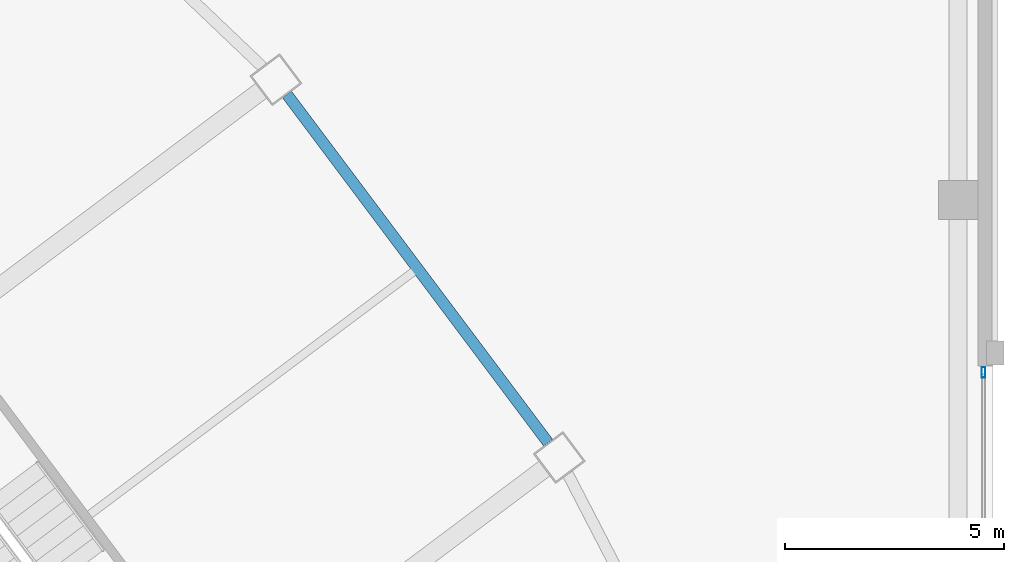
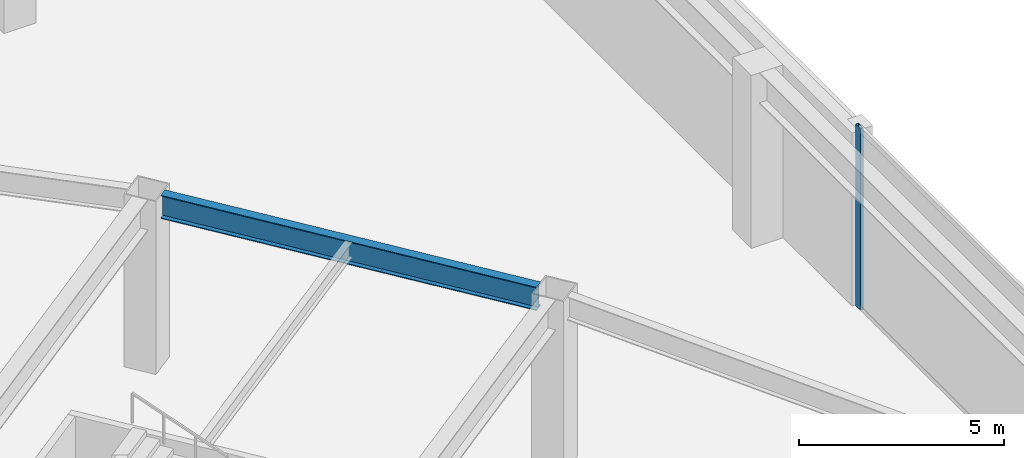
# One storey, part 32 of 48: 1 beam, 1 member, 1 element without a shape of its own.
"""IFC4 building model written with IfcOpenShell, lengths in metres."""

from ifc_helpers import new_model, si_unit, direction, frame, origin, origin_2d, place, context, subcontext, project, spatial, hollow_rectangle, i_section, extrude, material, material_profile, profile_set, type_object, element, aggregate, save


model = new_model("IFC4")

# Units and contexts
model_context = context("Model", 3, precision=1e-05, world=origin(), true_north=direction((0.0, 1.0)))
body_context = subcontext(model_context, "Body", "Model", "MODEL_VIEW")
ifc_project = project(units=[si_unit("LENGTHUNIT", "METRE"), si_unit("AREAUNIT", "SQUARE_METRE"), si_unit("VOLUMEUNIT", "CUBIC_METRE"), si_unit("PLANEANGLEUNIT", "RADIAN"), si_unit("MASSUNIT", "GRAM", prefix="KILO")], contexts=[model_context])

# Site, building, storey
site_placement = place(None, origin())
site = spatial("IfcSite", under=ifc_project, at=site_placement, CompositionType="ELEMENT")
building_placement = place(site_placement, origin())
building = spatial("IfcBuilding", under=site, at=building_placement, Name="Tashvorn Skyway Center", CompositionType="ELEMENT")
storey_placement = place(building_placement, frame((0.0, 0.0, 10.199951171875)))
storey = spatial("IfcBuildingStorey", under=building, at=storey_placement, Name="L02", CompositionType="ELEMENT", Elevation=10.199951171875)

# Beam
ifc_material_1 = material(Name="Steel ASTM A992 Grade 50", Category="steel")
ifc_material_profile_1 = material_profile(ifc_material_1, i_section(OverallWidth=0.256103515625, OverallDepth=0.693115234375, WebThickness=0.014404296875, FlangeThickness=0.023681640625, at=origin_2d()), Name="W27X114")
ifc_profile_set_1 = profile_set([ifc_material_profile_1], Name="Steel ASTM A992 Grade 50")
beam_type = type_object("IfcBeamType", Name="BM-SPANDREL-W27X114", PredefinedType="SPANDREL", material=ifc_profile_set_1)
beam_placement = place(storey_placement, frame((133.827880859375, 40.64599609375, 4.79345703125), z_axis=(-0.599988234018, 0.800008824351, 0.0), x_axis=(-0.800008824351, -0.599988234018, 0.0)))
element("IfcBeam", 1, at=beam_placement, inside=storey, type_object=beam_type, Name="Tower 2 L02 Spandrel Beam 05", PredefinedType="SPANDREL", context=body_context, shape_type="SweptSolid", body=[
    extrude(i_section(OverallWidth=0.256103515625, OverallDepth=0.693115234375, WebThickness=0.014404296875, FlangeThickness=0.023681640625, at=origin_2d()), origin(), (0.0, 0.0, 1.0), 9.9599609375),
])

# Curtain wall, member
ifc_material_2 = material(Name="Thermally broken bronze-anodized aluminium 6063-T6", Category="aluminium")
curtain_wall_type = type_object("IfcCurtainWallType", Name="CW-CW-Z1", PredefinedType="NOTDEFINED", material=ifc_material_2)
curtain_wall_placement = place(storey_placement, origin())
curtain_wall = element("IfcCurtainWall", 2, at=curtain_wall_placement, inside=storey, type_object=curtain_wall_type, Name="L02 East Station Concourse Curtain Wall", PredefinedType="NOTDEFINED")
ifc_material_profile_2 = material_profile(ifc_material_2, hollow_rectangle(XDim=0.0849609375, YDim=0.239990234375, WallThickness=0.0048828125, at=origin_2d()), Name="ALU-MULL-85x240")
ifc_profile_set_2 = profile_set([ifc_material_profile_2], Name="Thermally broken bronze-anodized aluminium 6063-T6")
member_type = type_object("IfcMemberType", Name="CWM-CW-Z1", PredefinedType="MULLION", material=ifc_profile_set_2)
member_placement = place(storey_placement, frame((143.780029296875, 42.257568359375, 0.0), z_axis=(0.0, 0.0, 1.0), x_axis=(1.0, 0.0, 0.0)))
member = element("IfcMember", 3, at=member_placement, type_object=member_type, Name="CW-Z1 mullion 1", PredefinedType="MULLION", context=body_context, shape_type="SweptSolid", body=[
    extrude(hollow_rectangle(XDim=0.0849609375, YDim=0.239990234375, WallThickness=0.0048828125, at=origin_2d()), origin(), (0.0, 0.0, 1.0), 5.400146484375),
])
aggregate(curtain_wall, [member])

save(model, "model.ifc")
